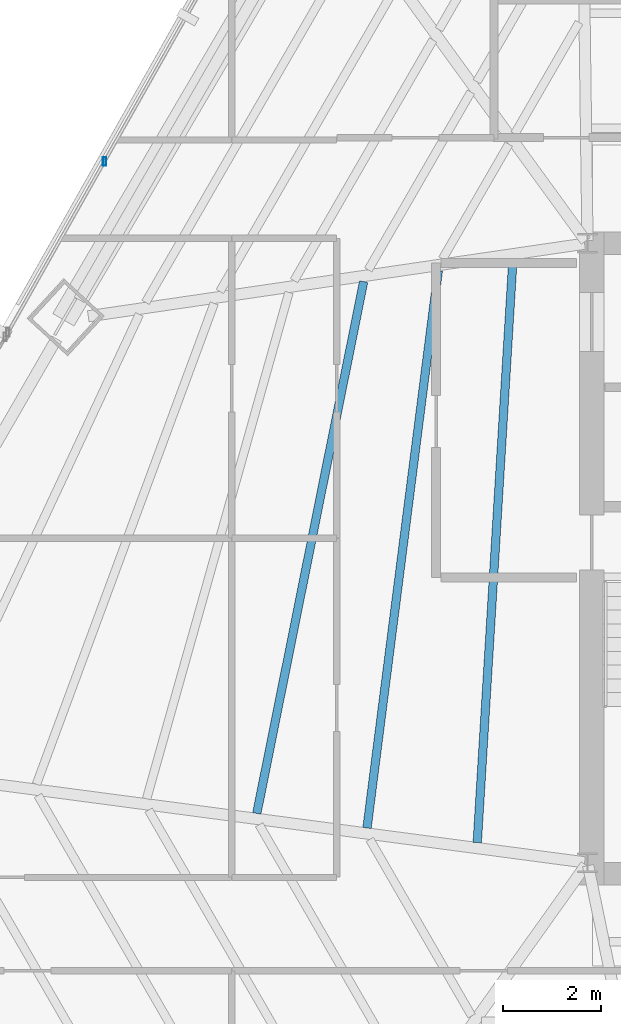
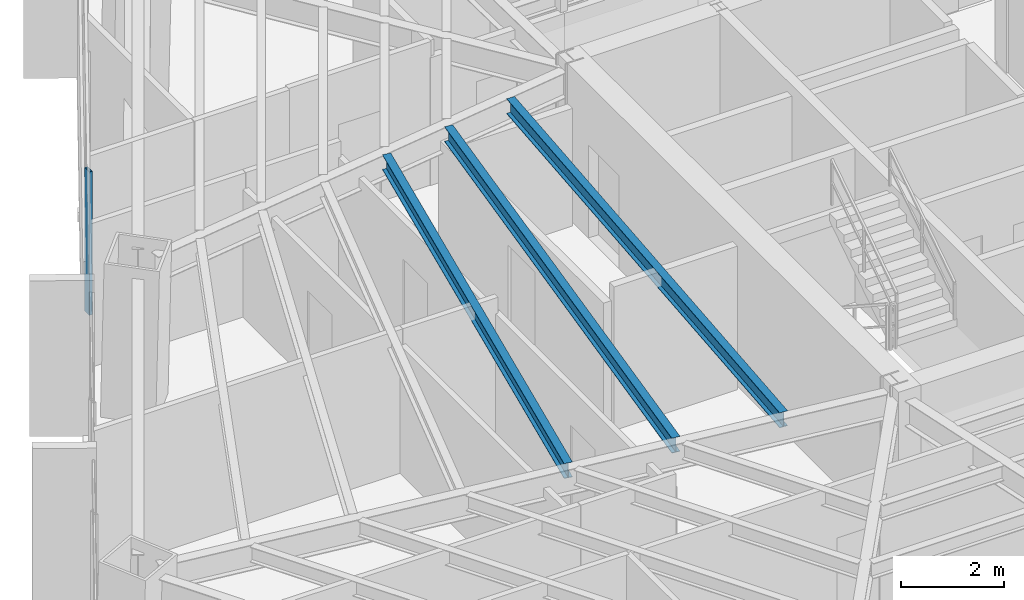
# One storey, part 12 of 35: 3 beams, 1 member, 1 element without a shape of its own.
"""IFC4 building model written with IfcOpenShell, lengths in metres."""

from ifc_helpers import new_model, si_unit, direction, frame, origin, origin_2d, place, context, subcontext, project, spatial, hollow_rectangle, i_section, extrude, source, transform, mapped, material, material_profile, profile_set, type_object, type_shapes, element, aggregate, save


model = new_model("IFC4")

# Units and contexts
model_context = context("Model", 3, precision=1e-05, world=origin(), true_north=direction((0.0, 1.0)))
body_context = subcontext(model_context, "Body", "Model", "MODEL_VIEW")
ifc_project = project(units=[si_unit("LENGTHUNIT", "METRE"), si_unit("AREAUNIT", "SQUARE_METRE"), si_unit("VOLUMEUNIT", "CUBIC_METRE"), si_unit("PLANEANGLEUNIT", "RADIAN"), si_unit("MASSUNIT", "GRAM", prefix="KILO")], contexts=[model_context])

# Site, building, storey
site_placement = place(None, origin())
site = spatial("IfcSite", under=ifc_project, at=site_placement, CompositionType="ELEMENT")
building_placement = place(site_placement, origin())
building = spatial("IfcBuilding", under=site, at=building_placement, Name="Caelisora Broadcast Tower", CompositionType="ELEMENT")
storey_placement = place(building_placement, frame((0.0, 0.0, 90.800048828125)))
storey = spatial("IfcBuildingStorey", under=building, at=storey_placement, Name="L23", CompositionType="ELEMENT", Elevation=90.800048828125)

# Beams
ifc_material_1 = material(Name="Steel Grade 350 (AS/NZS 3679.1)", Category="steel")
ifc_material_profile_1 = material_profile(ifc_material_1, i_section(OverallWidth=0.172119140625, OverallDepth=0.358642578125, WebThickness=0.008056640625, FlangeThickness=0.012939453125, at=origin_2d()), Name="Steel Grade 350 (AS/NZS 3679.1)")
ifc_profile_set_1 = profile_set([ifc_material_profile_1], Name="Steel Grade 350 (AS/NZS 3679.1)")
beam_type = type_object("IfcBeamType", Name="SB02", PredefinedType="JOIST", material=ifc_profile_set_1)
shared_shape_1 = source(origin(), body_context, "Body", "SweptSolid", [
    extrude(i_section(OverallWidth=0.172119140625, OverallDepth=0.358642578125, WebThickness=0.008056640625, FlangeThickness=0.012939453125, at=origin_2d()), origin(), (0.0, 0.0, 1.0), 11.879150390625),
])
beam_1_placement = place(storey_placement, frame((28.983154296875, 29.666015625, 3.220703125), z_axis=(-0.06112176344, -0.99813031716, 0.0), x_axis=(0.99813031716, -0.06112176344, 0.0)))
element("IfcBeam", 1, at=beam_1_placement, inside=storey, type_object=beam_type, Name="L23 beam SB02", PredefinedType="JOIST", context=body_context, shape_type="MappedRepresentation", body=[
    mapped(shared_shape_1, transform((0.0, 0.0, 0.0), scale=1.0)),
])
shared_shape_2 = source(origin(), body_context, "Body", "SweptSolid", [
    extrude(i_section(OverallWidth=0.172119140625, OverallDepth=0.358642578125, WebThickness=0.008056640625, FlangeThickness=0.012939453125, at=origin_2d()), origin(), (0.0, 0.0, 1.0), 11.429931640625),
])
beam_2_placement = place(storey_placement, frame((27.46533203125, 29.44384765625, 3.220703125), z_axis=(-0.126897054557, -0.991915892374, 0.0), x_axis=(0.991915892374, -0.126897054557, 0.0)))
element("IfcBeam", 2, at=beam_2_placement, inside=storey, type_object=beam_type, Name="L23 beam SB02", PredefinedType="JOIST", context=body_context, shape_type="MappedRepresentation", body=[
    mapped(shared_shape_2, transform((0.0, 0.0, 0.0), scale=1.0)),
])
shared_shape_3 = source(origin(), body_context, "Body", "SweptSolid", [
    extrude(i_section(OverallWidth=0.172119140625, OverallDepth=0.358642578125, WebThickness=0.008056640625, FlangeThickness=0.012939453125, at=origin_2d()), origin(), (0.0, 0.0, 1.0), 11.03466796875),
])
type_shapes(beam_type, [shared_shape_1, shared_shape_2, shared_shape_3])
beam_3_placement = place(storey_placement, frame((25.947021484375, 29.2216796875, 3.220703125), z_axis=(-0.197001055514, -0.980403276273, 0.0), x_axis=(0.980403276273, -0.197001055514, 0.0)))
element("IfcBeam", 3, at=beam_3_placement, inside=storey, type_object=beam_type, Name="L23 beam SB02", PredefinedType="JOIST", context=body_context, shape_type="MappedRepresentation", body=[
    mapped(shared_shape_3, transform((0.0, 0.0, 0.0), scale=1.0)),
])

# Curtain wall, member
ifc_material_2 = material(Name="Unitised Aluminium Insulated Shadow-Box Spandrel Curtain Wall", Category="aluminium")
curtain_wall_type = type_object("IfcCurtainWallType", Name="CW-SP1", PredefinedType="NOTDEFINED", material=ifc_material_2)
curtain_wall_placement = place(storey_placement, origin())
curtain_wall = element("IfcCurtainWall", 4, at=curtain_wall_placement, inside=storey, type_object=curtain_wall_type, Name="L23 curtain wall CW-SP1", PredefinedType="NOTDEFINED")
ifc_material_3 = material(Name="Aluminium 6063-T6 Anodised Terracotta Bronze", Category="aluminium")
ifc_material_profile_2 = material_profile(ifc_material_3, hollow_rectangle(XDim=0.06494140625, YDim=0.179931640625, WallThickness=0.00341796875, at=origin_2d()), Name="Aluminium 6063-T6 Anodised Terracotta Bronze")
ifc_profile_set_2 = profile_set([ifc_material_profile_2], Name="Aluminium 6063-T6 Anodised Terracotta Bronze")
member_type = type_object("IfcMemberType", Name="CWM-02", PredefinedType="MULLION", material=ifc_profile_set_2)
shared_shape_4 = source(origin(), body_context, "Body", "SweptSolid", [
    extrude(hollow_rectangle(XDim=0.06494140625, YDim=0.179931640625, WallThickness=0.00341796875, at=origin_2d()), origin(), (0.0, 0.0, 1.0), 3.39990234375),
])
type_shapes(member_type, [shared_shape_4])
member_placement = place(storey_placement, frame((20.67431640625, 31.662109375, 0.0), z_axis=(0.0, 0.0, 1.0), x_axis=(1.0, 0.0, 0.0)))
member = element("IfcMember", 5, at=member_placement, type_object=member_type, Name="L23-CW-B10 mullion #1", PredefinedType="MULLION", context=body_context, shape_type="MappedRepresentation", body=[
    mapped(shared_shape_4, transform((0.0, 0.0, 0.0), scale=1.0)),
])
aggregate(curtain_wall, [member])

save(model, "model.ifc")
